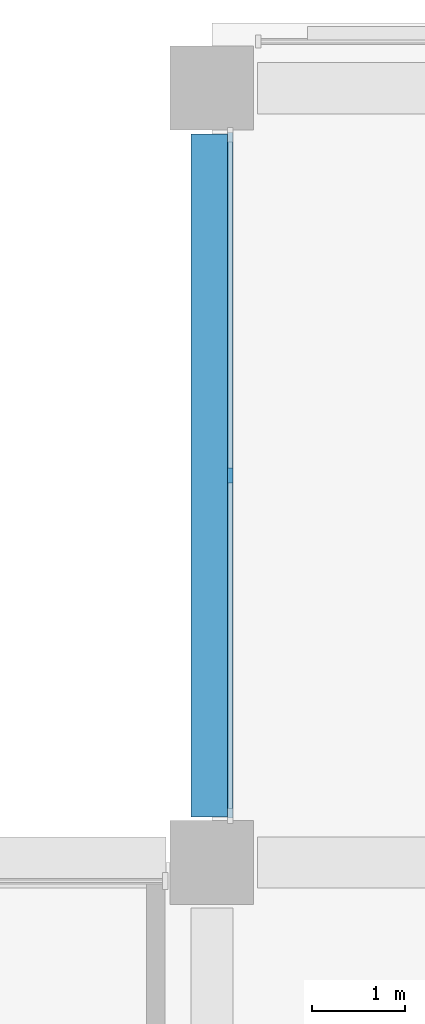
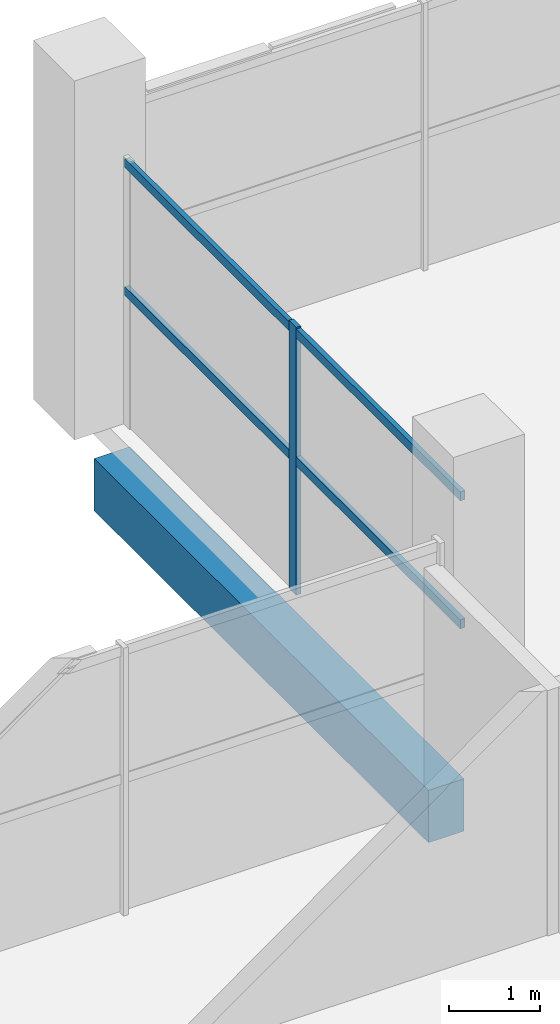
# One storey, part 35 of 100: 3 members, 1 beam, 1 element without a shape of its own.
"""IFC4 building model written with IfcOpenShell, lengths in metres."""

from ifc_helpers import new_model, si_unit, direction, frame, origin, origin_2d, place, context, subcontext, project, spatial, rectangle, extrude, material, material_profile, profile_set, type_object, element, aggregate, save


model = new_model("IFC4")

# Units and contexts
model_context = context("Model", 3, precision=1e-05, world=origin(), true_north=direction((0.0, 1.0)))
body_context = subcontext(model_context, "Body", "Model", "MODEL_VIEW")
ifc_project = project(units=[si_unit("LENGTHUNIT", "METRE"), si_unit("AREAUNIT", "SQUARE_METRE"), si_unit("VOLUMEUNIT", "CUBIC_METRE"), si_unit("PLANEANGLEUNIT", "RADIAN"), si_unit("MASSUNIT", "GRAM", prefix="KILO"), si_unit("THERMODYNAMICTEMPERATUREUNIT", "KELVIN"), si_unit("POWERUNIT", "WATT")], contexts=[model_context])

# Site, building, storey
site_placement = place(None, origin())
site = spatial("IfcSite", under=ifc_project, at=site_placement, CompositionType="ELEMENT")
building_placement = place(site_placement, origin())
building = spatial("IfcBuilding", under=site, at=building_placement, Name="Sindhuravela Promenade Stadium", CompositionType="ELEMENT")
storey_placement = place(building_placement, frame((0.0, 0.0, 4.800048828125)))
storey = spatial("IfcBuildingStorey", under=building, at=storey_placement, Name="L01", CompositionType="ELEMENT", Elevation=4.800048828125)

# Curtain wall, members
ifc_material_1 = material(Name="Anodised architectural aluminium 6063-T6", Category="aluminium")
curtain_wall_type = type_object("IfcCurtainWallType", Name="CW-MOD-4", PredefinedType="NOTDEFINED", material=ifc_material_1)
curtain_wall_placement = place(storey_placement, origin())
curtain_wall = element("IfcCurtainWall", 1, at=curtain_wall_placement, inside=storey, type_object=curtain_wall_type, Name="Bronze curtain wall CW-NORTH-L01-147", PredefinedType="NOTDEFINED")
ifc_material_profile_1 = material_profile(ifc_material_1, rectangle(XDim=0.06005859375, YDim=0.159912109375, at=origin_2d()), Name="ALU M60x160")
ifc_profile_set_1 = profile_set([ifc_material_profile_1], Name="Anodised architectural aluminium 6063-T6")
member_type_1 = type_object("IfcMemberType", Name="CW-MUL-4", PredefinedType="MULLION", material=ifc_profile_set_1)
member_1_placement = place(storey_placement, frame((126.199951171875, 157.14990234375, 0.0), z_axis=(0.0, 0.0, 1.0), x_axis=(1.0, 0.0, 0.0)))
member_1 = element("IfcMember", 2, at=member_1_placement, type_object=member_type_1, Name="Curtain wall mullion CW-NORTH-L01-147-M2", PredefinedType="MULLION", context=body_context, shape_type="SweptSolid", body=[
    extrude(rectangle(XDim=0.06005859375, YDim=0.159912109375, at=origin_2d()), origin(), (0.0, 0.0, 1.0), 3.579833984375),
])
ifc_material_profile_2 = material_profile(ifc_material_1, rectangle(XDim=0.06005859375, YDim=0.1201171875, at=origin_2d()), Name="ALU T60x120")
ifc_profile_set_2 = profile_set([ifc_material_profile_2], Name="Anodised architectural aluminium 6063-T6")
member_type_2 = type_object("IfcMemberType", Name="CW-TRN-4", PredefinedType="USERDEFINED", material=ifc_profile_set_2)
member_2_placement = place(storey_placement, frame((126.199951171875, 153.47509765625, 1.7900390625), z_axis=(0.0, 1.0, 0.0), x_axis=(-1.0, 0.0, 0.0)))
member_2 = element("IfcMember", 3, at=member_2_placement, type_object=member_type_2, Name="Curtain wall transom CW-NORTH-L01-147-T1", ObjectType="TRANSOM", PredefinedType="USERDEFINED", context=body_context, shape_type="SweptSolid", body=[
    extrude(rectangle(XDim=0.06005859375, YDim=0.1201171875, at=origin_2d()), origin(), (0.0, 0.0, 1.0), 7.349853515625),
])
member_3_placement = place(storey_placement, frame((126.199951171875, 153.47509765625, 3.5), z_axis=(0.0, 1.0, 0.0), x_axis=(-1.0, 0.0, 0.0)))
member_3 = element("IfcMember", 4, at=member_3_placement, type_object=member_type_2, Name="Curtain wall transom CW-NORTH-L01-147-T2", ObjectType="TRANSOM", PredefinedType="USERDEFINED", context=body_context, shape_type="SweptSolid", body=[
    extrude(rectangle(XDim=0.06005859375, YDim=0.1201171875, at=origin_2d()), origin(), (0.0, 0.0, 1.0), 7.349853515625),
])
aggregate(curtain_wall, [member_1, member_2, member_3])

# Beam
ifc_material_2 = material(Name="Concrete M40", Category="concrete")
ifc_material_profile_3 = material_profile(ifc_material_2, rectangle(XDim=0.449951171875, YDim=0.699951171875, at=origin_2d()), Name="RC 450x700")
ifc_profile_set_3 = profile_set([ifc_material_profile_3], Name="Concrete M40")
beam_type = type_object("IfcBeamType", Name="RC-BM-450x700", PredefinedType="BEAM", material=ifc_profile_set_3)
beam_placement = place(storey_placement, frame((126.0, 153.489990234375, -0.650146484375), z_axis=(0.0, 1.0, 0.0), x_axis=(-1.0, 0.0, 0.0)))
element("IfcBeam", 5, at=beam_placement, inside=storey, type_object=beam_type, Name="Primary beam GB07 NORTH L01", PredefinedType="BEAM", context=body_context, shape_type="SweptSolid", body=[
    extrude(rectangle(XDim=0.449951171875, YDim=0.699951171875, at=origin_2d()), origin(), (0.0, 0.0, 1.0), 7.320068359375),
])

save(model, "model.ifc")
